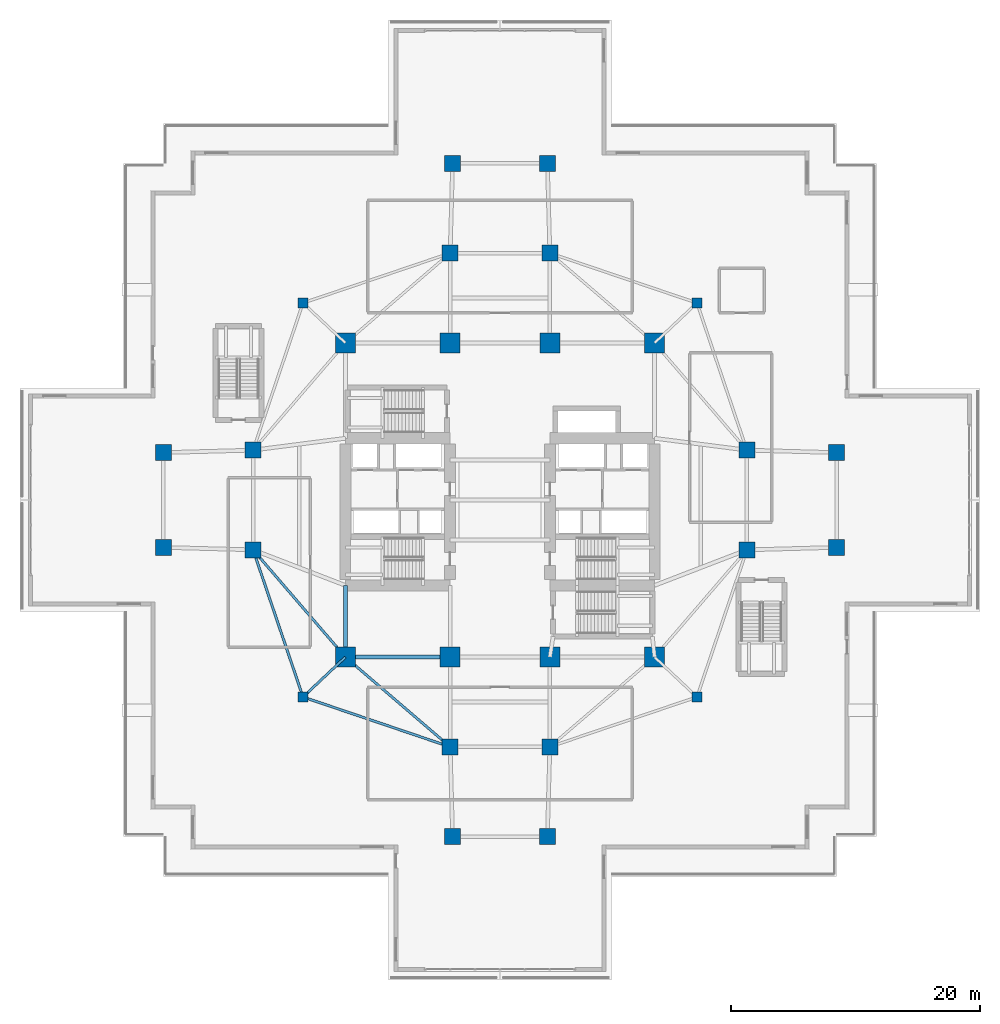
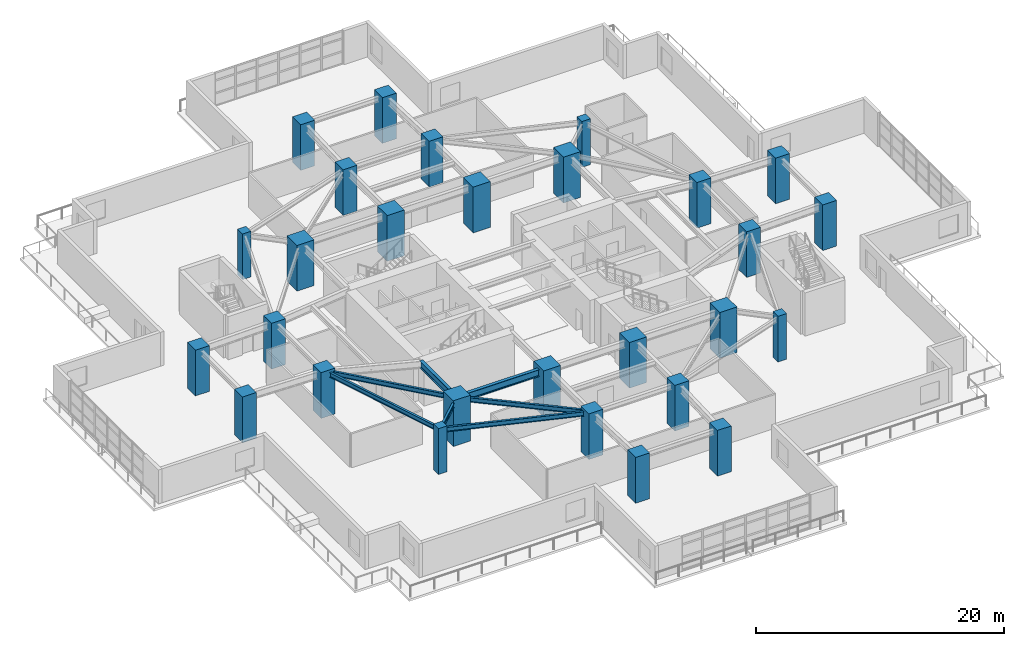
# One storey, part 1 of 23: 28 columns, 7 beams.
"""IFC4 building model written with IfcOpenShell, lengths in metres."""

from ifc_helpers import new_model, si_unit, direction, frame, origin, origin_2d, place, context, subcontext, project, spatial, rectangle, i_section, extrude, material, material_profile, profile_set, type_object, element, save


model = new_model("IFC4")

# Units and contexts
model_context = context("Model", 3, precision=1e-05, world=origin(), true_north=direction((0.0, 1.0)))
body_context = subcontext(model_context, "Body", "Model", "MODEL_VIEW")
ifc_project = project(units=[si_unit("LENGTHUNIT", "METRE"), si_unit("AREAUNIT", "SQUARE_METRE"), si_unit("VOLUMEUNIT", "CUBIC_METRE"), si_unit("PLANEANGLEUNIT", "RADIAN"), si_unit("MASSUNIT", "GRAM", prefix="KILO")], contexts=[model_context])

# Site, building, storey
site_placement = place(None, origin())
site = spatial("IfcSite", under=ifc_project, at=site_placement, CompositionType="ELEMENT")
building_placement = place(site_placement, origin())
building = spatial("IfcBuilding", under=site, at=building_placement, Name="Qingluan Cross Belvedere", CompositionType="ELEMENT")
storey_placement = place(building_placement, frame((0.0, 0.0, 10.199951171875)))
storey = spatial("IfcBuildingStorey", under=building, at=storey_placement, Name="L03", CompositionType="ELEMENT", Elevation=10.199951171875)

# Columns
ifc_material_1 = material(Name="Concrete C60", Category="concrete")
ifc_material_profile_1 = material_profile(ifc_material_1, rectangle(XDim=1.300048828125, YDim=1.300048828125, at=origin_2d()), Name="RC1300x1300")
ifc_profile_set_1 = profile_set([ifc_material_profile_1], Name="Concrete C60")
column_type_1 = type_object("IfcColumnType", Name="Column_RC1300x1300", PredefinedType="COLUMN", material=ifc_profile_set_1)
for number, where, z_axis, x_axis, name in (
    (1, (19.800048828125, -4.0, 0.0), (0.0, 0.0, 1.0), (1.0, 0.0, 0.0), "Arm column L03-EIA"),
    (2, (19.800048828125, 4.0, 0.0), (0.0, 0.0, 1.0), (1.0, 0.0, 0.0), "Arm column L03-EIB"),
    (3, (-19.800048828125, -4.0, 0.0), (0.0, 0.0, 1.0), (1.0, 0.0, 0.0), "Arm column L03-WIA"),
    (4, (-19.800048828125, 4.0, 0.0), (0.0, 0.0, 1.0), (1.0, 0.0, 0.0), "Arm column L03-WIB"),
    (5, (-4.0, -19.800048828125, 0.0), (0.0, 0.0, 1.0), (1.0, 0.0, 0.0), "Arm column L03-SIA"),
    (6, (4.0, -19.800048828125, 0.0), (0.0, 0.0, 1.0), (1.0, 0.0, 0.0), "Arm column L03-SIB"),
    (7, (-4.0, 19.800048828125, 0.0), (0.0, 0.0, 1.0), (1.0, 0.0, 0.0), "Arm column L03-NIA"),
    (8, (4.0, 19.800048828125, 0.0), (0.0, 0.0, 1.0), (1.0, 0.0, 0.0), "Arm column L03-NIB"),
    (9, (27.0, -3.800048828125, 0.0), (0.0, 0.0, 1.0), (1.0, 0.0, 0.0), "Arm column L03-EOA"),
    (10, (27.0, 3.800048828125, 0.0), (0.0, 0.0, 1.0), (1.0, 0.0, 0.0), "Arm column L03-EOB"),
    (11, (-27.0, -3.800048828125, 0.0), (0.0, 0.0, 1.0), (1.0, 0.0, 0.0), "Arm column L03-WOA"),
    (12, (-27.0, 3.800048828125, 0.0), (0.0, 0.0, 1.0), (1.0, 0.0, 0.0), "Arm column L03-WOB"),
    (13, (-3.800048828125, -27.0, 0.0), (0.0, 0.0, 1.0), (1.0, 0.0, 0.0), "Arm column L03-SOA"),
    (14, (3.800048828125, -27.0, 0.0), (0.0, 0.0, 1.0), (1.0, 0.0, 0.0), "Arm column L03-SOB"),
    (15, (-3.800048828125, 27.0, 0.0), (0.0, 0.0, 1.0), (1.0, 0.0, 0.0), "Arm column L03-NOA"),
    (16, (3.800048828125, 27.0, 0.0), (0.0, 0.0, 1.0), (1.0, 0.0, 0.0), "Arm column L03-NOB"),
):
    element("IfcColumn", number, at=place(storey_placement, frame(where, z_axis=z_axis, x_axis=x_axis)), inside=storey, type_object=column_type_1, Name=name, PredefinedType="COLUMN", context=body_context, shape_type="SweptSolid", body=[
        extrude(rectangle(XDim=1.300048828125, YDim=1.300048828125, at=origin_2d()), origin(), (0.0, 0.0, 1.0), 4.5),
    ])
ifc_material_2 = material(Name="Concrete C70", Category="concrete")
ifc_material_profile_2 = material_profile(ifc_material_2, rectangle(XDim=1.60009765625, YDim=1.60009765625, at=origin_2d()), Name="RC1600x1600")
ifc_profile_set_2 = profile_set([ifc_material_profile_2], Name="Concrete C70")
column_type_2 = type_object("IfcColumnType", Name="Column_RC1600x1600", PredefinedType="COLUMN", material=ifc_profile_set_2)
for number, where, z_axis, x_axis, name in (
    (17, (-12.39990234375, -12.60009765625, 0.0), (0.0, 0.0, 1.0), (1.0, 0.0, 0.0), "Hub column L03-HC1"),
    (18, (12.39990234375, -12.60009765625, 0.0), (0.0, 0.0, 1.0), (1.0, 0.0, 0.0), "Hub column L03-HC2"),
    (19, (12.39990234375, 12.60009765625, 0.0), (0.0, 0.0, 1.0), (1.0, 0.0, 0.0), "Hub column L03-HC3"),
    (20, (-12.39990234375, 12.60009765625, 0.0), (0.0, 0.0, 1.0), (1.0, 0.0, 0.0), "Hub column L03-HC4"),
    (21, (-4.0, -12.60009765625, 0.0), (0.0, 0.0, 1.0), (1.0, 0.0, 0.0), "Hub column L03-HC5"),
    (22, (4.0, -12.60009765625, 0.0), (0.0, 0.0, 1.0), (1.0, 0.0, 0.0), "Hub column L03-HC6"),
    (23, (4.0, 12.60009765625, 0.0), (0.0, 0.0, 1.0), (1.0, 0.0, 0.0), "Hub column L03-HC7"),
    (24, (-4.0, 12.60009765625, 0.0), (0.0, 0.0, 1.0), (1.0, 0.0, 0.0), "Hub column L03-HC8"),
):
    element("IfcColumn", number, at=place(storey_placement, frame(where, z_axis=z_axis, x_axis=x_axis)), inside=storey, type_object=column_type_2, Name=name, PredefinedType="COLUMN", context=body_context, shape_type="SweptSolid", body=[
        extrude(rectangle(XDim=1.60009765625, YDim=1.60009765625, at=origin_2d()), origin(), (0.0, 0.0, 1.0), 4.5),
    ])
ifc_material_3 = material(Name="Concrete C50", Category="concrete")
ifc_material_profile_3 = material_profile(ifc_material_3, rectangle(XDim=0.800048828125, YDim=0.800048828125, at=origin_2d()), Name="RC800x800")
ifc_profile_set_3 = profile_set([ifc_material_profile_3], Name="Concrete C50")
column_type_3 = type_object("IfcColumnType", Name="Column_RC800x800", PredefinedType="COLUMN", material=ifc_profile_set_3)
for number, where, z_axis, x_axis, name in (
    (25, (15.800048828125, 15.800048828125, 0.0), (0.0, 0.0, 1.0), (1.0, 0.0, 0.0), "Corner column L03-RNE"),
    (26, (-15.800048828125, 15.800048828125, 0.0), (0.0, 0.0, 1.0), (1.0, 0.0, 0.0), "Corner column L03-RNW"),
    (27, (-15.800048828125, -15.800048828125, 0.0), (0.0, 0.0, 1.0), (1.0, 0.0, 0.0), "Corner column L03-RSW"),
    (28, (15.800048828125, -15.800048828125, 0.0), (0.0, 0.0, 1.0), (1.0, 0.0, 0.0), "Corner column L03-RSE"),
):
    element("IfcColumn", number, at=place(storey_placement, frame(where, z_axis=z_axis, x_axis=x_axis)), inside=storey, type_object=column_type_3, Name=name, PredefinedType="COLUMN", context=body_context, shape_type="SweptSolid", body=[
        extrude(rectangle(XDim=0.800048828125, YDim=0.800048828125, at=origin_2d()), origin(), (0.0, 0.0, 1.0), 4.5),
    ])

# Beams
ifc_material_4 = material(Name="Steel Q420GJB", Category="steel")
ifc_material_profile_4 = material_profile(ifc_material_4, i_section(OverallWidth=0.199951171875, OverallDepth=0.449951171875, WebThickness=0.009033203125, FlangeThickness=0.013916015625, FilletRadius=0.01611328125, at=origin_2d()), Name="HN450x200x9x14")
ifc_profile_set_4 = profile_set([ifc_material_profile_4], Name="Steel Q420GJB")
beam_type_1 = type_object("IfcBeamType", Name="Steel_Beam_HN450x200x9x14", PredefinedType="JOIST", material=ifc_profile_set_4)
beam_1_placement = place(storey_placement, frame((-12.39990234375, -12.60009765625, 4.025146484375), z_axis=(-0.728219948308, -0.685343495546, 0.0), x_axis=(0.685343495546, -0.728219948308, 0.0)))
element("IfcBeam", 29, at=beam_1_placement, inside=storey, type_object=beam_type_1, Name="Corner beam 1 L03-RSW", PredefinedType="JOIST", context=body_context, shape_type="SweptSolid", body=[
    extrude(i_section(OverallWidth=0.199951171875, OverallDepth=0.449951171875, WebThickness=0.009033203125, FlangeThickness=0.013916015625, FilletRadius=0.01611328125, at=origin_2d()), origin(), (0.0, 0.0, 1.0), 4.669189453125),
])
for number, where, z_axis, x_axis, name in (
    (30, (-15.800048828125, -15.800048828125, 4.025146484375), (0.947066283324, -0.321038089628, 0.0), (0.321038089628, 0.947066283324, 0.0), "Corner beam 2 L03-RSW"),
    (31, (-15.800048828125, -15.800048828125, 4.025146484375), (-0.321038089628, 0.947066283324, 0.0), (-0.947066283324, -0.321038089628, 0.0), "Corner beam 3 L03-RSW"),
):
    element("IfcBeam", number, at=place(storey_placement, frame(where, z_axis=z_axis, x_axis=x_axis)), inside=storey, type_object=beam_type_1, Name=name, PredefinedType="JOIST", context=body_context, shape_type="SweptSolid", body=[
        extrude(i_section(OverallWidth=0.199951171875, OverallDepth=0.449951171875, WebThickness=0.009033203125, FlangeThickness=0.013916015625, FilletRadius=0.01611328125, at=origin_2d()), origin(), (0.0, 0.0, 1.0), 12.45947265625),
    ])
beam_2_placement = place(storey_placement, frame((-12.39990234375, -12.60009765625, 4.025146484375), z_axis=(-0.652245077546, 0.75800815221, 0.0), x_axis=(-0.75800815221, -0.652245077546, 0.0)))
element("IfcBeam", 32, at=beam_2_placement, inside=storey, type_object=beam_type_1, Name="Corner beam 4 L03-RSW", PredefinedType="JOIST", context=body_context, shape_type="SweptSolid", body=[
    extrude(i_section(OverallWidth=0.199951171875, OverallDepth=0.449951171875, WebThickness=0.009033203125, FlangeThickness=0.013916015625, FilletRadius=0.01611328125, at=origin_2d()), origin(), (0.0, 0.0, 1.0), 11.345703125),
])
beam_3_placement = place(storey_placement, frame((-12.39990234375, -12.60009765625, 4.025146484375), z_axis=(0.759255044656, -0.650793190779, 0.0), x_axis=(0.650793190779, 0.759255044656, 0.0)))
element("IfcBeam", 33, at=beam_3_placement, inside=storey, type_object=beam_type_1, Name="Corner beam 5 L03-RSW", PredefinedType="JOIST", context=body_context, shape_type="SweptSolid", body=[
    extrude(i_section(OverallWidth=0.199951171875, OverallDepth=0.449951171875, WebThickness=0.009033203125, FlangeThickness=0.013916015625, FilletRadius=0.01611328125, at=origin_2d()), origin(), (0.0, 0.0, 1.0), 11.063232421875),
])
ifc_material_5 = material(Name="Steel Q420GJB", Category="steel")
ifc_material_profile_5 = material_profile(ifc_material_5, i_section(OverallWidth=0.300048828125, OverallDepth=0.699951171875, WebThickness=0.014892578125, FlangeThickness=0.027099609375, FilletRadius=0.027099609375, at=origin_2d()), Name="HEB700")
ifc_profile_set_5 = profile_set([ifc_material_profile_5], Name="Steel Q420GJB")
beam_type_2 = type_object("IfcBeamType", Name="Steel_Girder_HEB700", PredefinedType="USERDEFINED", material=ifc_profile_set_5)
beam_4_placement = place(storey_placement, frame((-12.39990234375, -12.60009765625, 3.900146484375), z_axis=(1.0, 0.0, 0.0), x_axis=(0.0, 1.0, 0.0)))
element("IfcBeam", 34, at=beam_4_placement, inside=storey, type_object=beam_type_2, Name="Hub girder L03-HG-S1", ObjectType="GIRDER", PredefinedType="USERDEFINED", context=body_context, shape_type="SweptSolid", body=[
    extrude(i_section(OverallWidth=0.300048828125, OverallDepth=0.699951171875, WebThickness=0.014892578125, FlangeThickness=0.027099609375, FilletRadius=0.027099609375, at=origin_2d()), origin(), (0.0, 0.0, 1.0), 8.39990234375),
])
beam_5_placement = place(storey_placement, frame((-12.39990234375, -12.60009765625, 3.900146484375), z_axis=(0.0, 1.0, 0.0), x_axis=(-1.0, 0.0, 0.0)))
element("IfcBeam", 35, at=beam_5_placement, inside=storey, type_object=beam_type_2, Name="Hub girder L03-HG-W1", ObjectType="GIRDER", PredefinedType="USERDEFINED", context=body_context, shape_type="SweptSolid", body=[
    extrude(i_section(OverallWidth=0.300048828125, OverallDepth=0.699951171875, WebThickness=0.014892578125, FlangeThickness=0.027099609375, FilletRadius=0.027099609375, at=origin_2d()), origin(), (0.0, 0.0, 1.0), 5.75),
])

save(model, "model.ifc")
